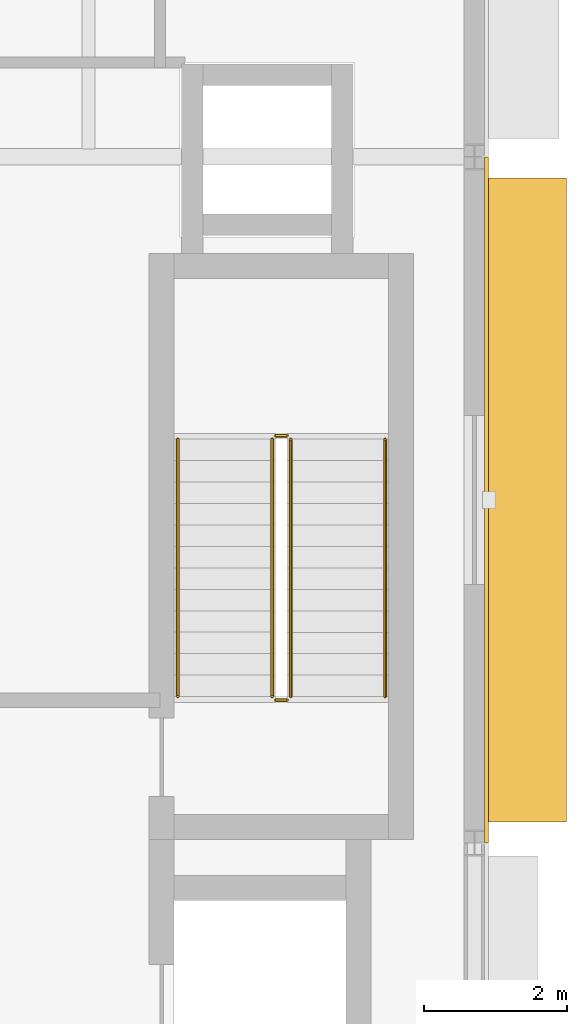
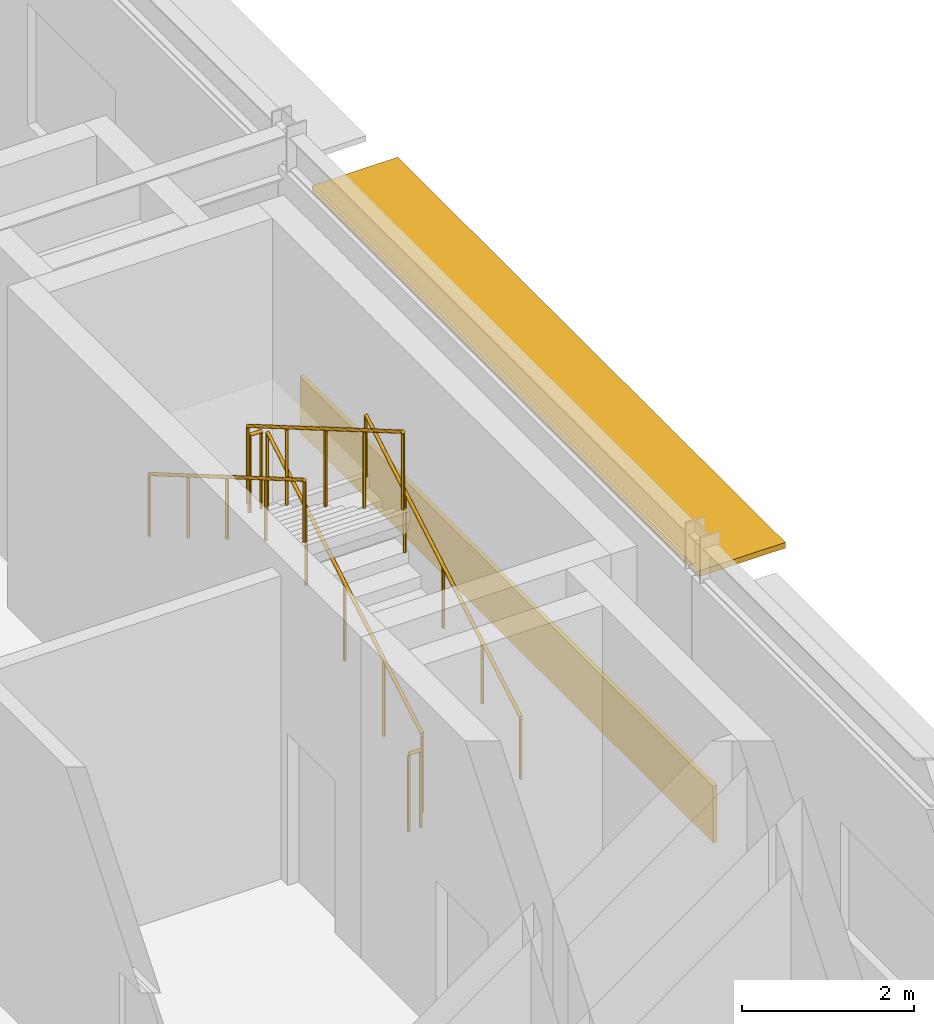
# One storey, part 19 of 22: 6 railings, 1 covering, 1 shading device.
"""IFC4 building model written with IfcOpenShell, lengths in metres."""

from ifc_helpers import new_model, si_unit, direction, frame, origin, origin_2d, place, context, subcontext, project, spatial, rectangle, circle, extrude, material, layer, layer_set, type_object, element, save


model = new_model("IFC4")

# Units and contexts
model_context = context("Model", 3, precision=1e-05, world=origin(), true_north=direction((0.0, 1.0)))
body_context = subcontext(model_context, "Body", "Model", "MODEL_VIEW")
ifc_project = project(units=[si_unit("LENGTHUNIT", "METRE"), si_unit("AREAUNIT", "SQUARE_METRE"), si_unit("VOLUMEUNIT", "CUBIC_METRE"), si_unit("PLANEANGLEUNIT", "RADIAN"), si_unit("MASSUNIT", "GRAM", prefix="KILO")], contexts=[model_context])

# Site, building, storey
site_placement = place(None, origin())
site = spatial("IfcSite", under=ifc_project, at=site_placement, CompositionType="ELEMENT")
building_placement = place(site_placement, origin())
building = spatial("IfcBuilding", under=site, at=building_placement, Name="Almandine Court Research Institute", CompositionType="ELEMENT")
storey_placement = place(building_placement, frame((0.0, 0.0, 28.0)))
storey = spatial("IfcBuildingStorey", under=building, at=storey_placement, Name="L06", CompositionType="ELEMENT", Elevation=28.0)

# Covering
ifc_material_1 = material(Name="Extruded Cream-Ochre Seismic Terracotta Spandrel", Category="masonry")
ifc_layer_1 = layer(ifc_material_1, 0.054931640625)
ifc_layer_set_1 = layer_set([ifc_layer_1], Name="Extruded Cream-Ochre Seismic Terracotta Spandrel")
covering_type = type_object("IfcCoveringType", Name="Cov-CLAD-TERR", PredefinedType="CLADDING", material=ifc_layer_set_1)
covering_placement = place(storey_placement, frame((174.1708984375, 30.0, 0.02001953125), z_axis=(0.0, 0.0, 1.0), x_axis=(0.0, -1.0, 0.0)))
element("IfcCovering", 1, at=covering_placement, inside=storey, type_object=covering_type, Name="L06 Facade Spandrel Cladding Band 209", PredefinedType="CLADDING", context=body_context, shape_type="SweptSolid", body=[
    extrude(rectangle(XDim=9.592041015625, YDim=0.054931640625, at=origin_2d()), origin(), (0.0, 0.0, 1.0), 0.800048828125),
])

# Railings
ifc_material_2 = material(Name="Powder-Coated Steel Stair and Atrium Balustrade", Category="steel")
railing_type_1 = type_object("IfcRailingType", Name="Rail-GUARD-INT", PredefinedType="BALUSTRADE", material=ifc_material_2)
railing_1_placement = place(storey_placement, frame((171.429931640625, 27.25, 0.175048828125)))
element("IfcRailing", 2, at=railing_1_placement, inside=storey, type_object=railing_type_1, Name="L06 ST-07 stair guard 1", PredefinedType="BALUSTRADE", context=body_context, shape_type="SweptSolid", body=[
    extrude(circle(Radius=0.02392578125, at=origin_2d()), frame((0.0, 0.0, 1.09619140625), z_axis=(0.0, 0.863800146258, 0.503834603144), x_axis=(-1.0, 0.0, 0.0)), (0.0, 0.0, 1.0), 4.167724609375),
    extrude(circle(Radius=0.02099609375, at=origin_2d()), origin(), (0.0, 0.0, 1.0), 1.072021484375),
    extrude(circle(Radius=0.02099609375, at=origin_2d()), frame((0.0, 0.89990234375, 0.52490234375)), (0.0, 0.0, 1.0), 1.072021484375),
    extrude(circle(Radius=0.02099609375, at=origin_2d()), frame((0.0, 1.800048828125, 1.0498046875)), (0.0, 0.0, 1.0), 1.072021484375),
    extrude(circle(Radius=0.02099609375, at=origin_2d()), frame((0.0, 2.7001953125, 1.574951171875)), (0.0, 0.0, 1.0), 1.072021484375),
    extrude(circle(Radius=0.02099609375, at=origin_2d()), frame((0.0, 3.60009765625, 2.099853515625)), (0.0, 0.0, 1.0), 1.072021484375),
])
railing_2_placement = place(storey_placement, frame((171.3798828125, 30.89990234375, 2.27490234375)))
element("IfcRailing", 3, at=railing_2_placement, inside=storey, type_object=railing_type_1, Name="L06 ST-07 stair guard 2", PredefinedType="BALUSTRADE", context=body_context, shape_type="SweptSolid", body=[
    extrude(circle(Radius=0.02392578125, at=origin_2d()), frame((0.0, 0.0, 1.09619140625), z_axis=(-1.0, 0.0, 0.0), x_axis=(0.0, -1.0, 0.0)), (0.0, 0.0, 1.0), 0.159912109375),
    extrude(circle(Radius=0.02099609375, at=origin_2d()), origin(), (0.0, 0.0, 1.0), 1.072021484375),
    extrude(circle(Radius=0.02099609375, at=origin_2d()), frame((-0.159912109375, 0.0, 0.0)), (0.0, 0.0, 1.0), 1.072021484375),
])
railing_3_placement = place(storey_placement, frame((171.169921875, 30.85009765625, 2.449951171875)))
element("IfcRailing", 4, at=railing_3_placement, inside=storey, type_object=railing_type_1, Name="L06 ST-07 stair guard 3", PredefinedType="BALUSTRADE", context=body_context, shape_type="SweptSolid", body=[
    extrude(circle(Radius=0.02392578125, at=origin_2d()), frame((0.0, 0.0, 1.09619140625), z_axis=(0.0, -0.863774651768, 0.503878309678), x_axis=(1.0, 0.0, 0.0)), (0.0, 0.0, 1.0), 4.16796875),
    extrude(circle(Radius=0.02099609375, at=origin_2d()), origin(), (0.0, 0.0, 1.0), 1.072021484375),
    extrude(circle(Radius=0.02099609375, at=origin_2d()), frame((0.0, -0.89990234375, 0.52490234375)), (0.0, 0.0, 1.0), 1.072021484375),
    extrude(circle(Radius=0.02099609375, at=origin_2d()), frame((0.0, -1.800048828125, 1.050048828125)), (0.0, 0.0, 1.0), 1.072021484375),
    extrude(circle(Radius=0.02099609375, at=origin_2d()), frame((0.0, -2.7001953125, 1.5751953125)), (0.0, 0.0, 1.0), 1.072021484375),
    extrude(circle(Radius=0.02099609375, at=origin_2d()), frame((0.0, -3.60009765625, 2.10009765625)), (0.0, 0.0, 1.0), 1.072021484375),
])
railing_4_placement = place(storey_placement, frame((171.3798828125, 27.199951171875, 0.0)))
element("IfcRailing", 5, at=railing_4_placement, inside=storey, type_object=railing_type_1, Name="L06 ST-07 stair guard 4", PredefinedType="BALUSTRADE", context=body_context, shape_type="SweptSolid", body=[
    extrude(circle(Radius=0.02392578125, at=origin_2d()), frame((0.0, 0.0, 1.09619140625), z_axis=(-1.0, 0.0, 0.0), x_axis=(0.0, -1.0, 0.0)), (0.0, 0.0, 1.0), 0.159912109375),
    extrude(circle(Radius=0.02099609375, at=origin_2d()), origin(), (0.0, 0.0, 1.0), 1.072021484375),
    extrude(circle(Radius=0.02099609375, at=origin_2d()), frame((-0.159912109375, 0.0, 0.0)), (0.0, 0.0, 1.0), 1.072021484375),
])
ifc_material_3 = material(Name="Brushed Stainless Steel Wall Handrail", Category="steel")
railing_type_2 = type_object("IfcRailingType", Name="Rail-HAND-INT", PredefinedType="HANDRAIL", material=ifc_material_3)
railing_5_placement = place(storey_placement, frame((172.75, 27.25, 0.175048828125)))
element("IfcRailing", 6, at=railing_5_placement, inside=storey, type_object=railing_type_2, Name="L06 ST-07 stair handrail 1", PredefinedType="HANDRAIL", context=body_context, shape_type="SweptSolid", body=[
    extrude(circle(Radius=0.02392578125, at=origin_2d()), frame((0.0, 0.0, 0.8759765625), z_axis=(0.0, 0.863800146258, 0.503834603144), x_axis=(-1.0, 0.0, 0.0)), (0.0, 0.0, 1.0), 4.167724609375),
    extrude(circle(Radius=0.02099609375, at=origin_2d()), origin(), (0.0, 0.0, 1.0), 0.851806640625),
    extrude(circle(Radius=0.02099609375, at=origin_2d()), frame((0.0, 0.89990234375, 0.52490234375)), (0.0, 0.0, 1.0), 0.851806640625),
    extrude(circle(Radius=0.02099609375, at=origin_2d()), frame((0.0, 1.800048828125, 1.0498046875)), (0.0, 0.0, 1.0), 0.851806640625),
    extrude(circle(Radius=0.02099609375, at=origin_2d()), frame((0.0, 2.7001953125, 1.574951171875)), (0.0, 0.0, 1.0), 0.851806640625),
    extrude(circle(Radius=0.02099609375, at=origin_2d()), frame((0.0, 3.60009765625, 2.099853515625)), (0.0, 0.0, 1.0), 0.851806640625),
])
railing_6_placement = place(storey_placement, frame((169.85009765625, 30.85009765625, 2.449951171875)))
element("IfcRailing", 7, at=railing_6_placement, inside=storey, type_object=railing_type_2, Name="L06 ST-07 stair handrail 2", PredefinedType="HANDRAIL", context=body_context, shape_type="SweptSolid", body=[
    extrude(circle(Radius=0.02392578125, at=origin_2d()), frame((0.0, 0.0, 0.8759765625), z_axis=(0.0, -0.863774651768, 0.503878309678), x_axis=(1.0, 0.0, 0.0)), (0.0, 0.0, 1.0), 4.16796875),
    extrude(circle(Radius=0.02099609375, at=origin_2d()), origin(), (0.0, 0.0, 1.0), 0.851806640625),
    extrude(circle(Radius=0.02099609375, at=origin_2d()), frame((0.0, -0.89990234375, 0.52490234375)), (0.0, 0.0, 1.0), 0.851806640625),
    extrude(circle(Radius=0.02099609375, at=origin_2d()), frame((0.0, -1.800048828125, 1.050048828125)), (0.0, 0.0, 1.0), 0.851806640625),
    extrude(circle(Radius=0.02099609375, at=origin_2d()), frame((0.0, -2.7001953125, 1.5751953125)), (0.0, 0.0, 1.0), 0.851806640625),
    extrude(circle(Radius=0.02099609375, at=origin_2d()), frame((0.0, -3.60009765625, 2.10009765625)), (0.0, 0.0, 1.0), 0.851806640625),
])

# Shading device
ifc_material_4 = material(Name="Precast GFRC Chhajja Sunshade and Acoustic Louvre", Category="concrete")
ifc_layer_2 = layer(ifc_material_4, 0.080078125)
ifc_layer_set_2 = layer_set([ifc_layer_2], Name="Precast GFRC Chhajja Sunshade and Acoustic Louvre")
shading_device_type = type_object("IfcShadingDeviceType", Name="Shd-SD-23", PredefinedType="AWNING", material=ifc_layer_set_2)
shading_device_placement = place(storey_placement, frame((174.7099609375, 30.0, 3.618896484375), z_axis=(0.0, 0.0, 1.0), x_axis=(0.0, -1.0, 0.0)))
element("IfcShadingDevice", 8, at=shading_device_placement, inside=storey, type_object=shading_device_type, Name="L06 Projecting Chhajja Sunshade 147", PredefinedType="AWNING", context=body_context, shape_type="SweptSolid", body=[
    extrude(rectangle(XDim=9.001953125, YDim=1.14990234375, at=origin_2d()), origin(), (0.0, 0.0, 1.0), 0.080078125),
])

save(model, "model.ifc")
